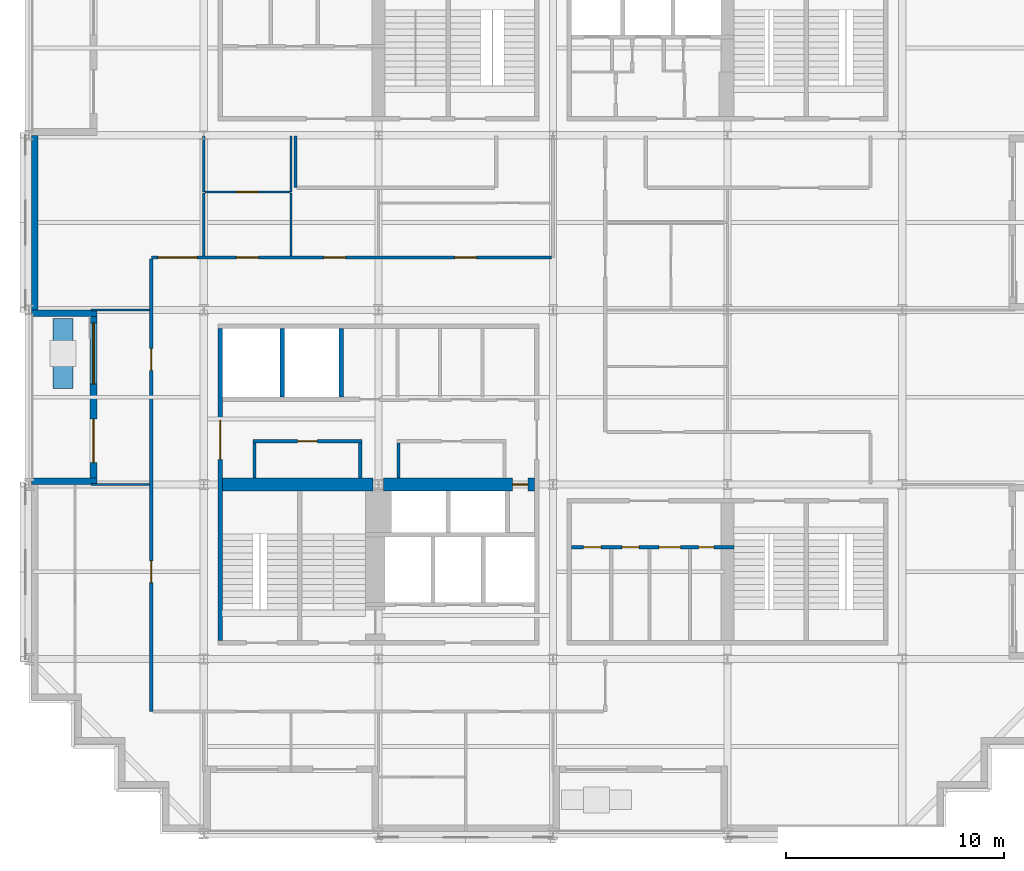
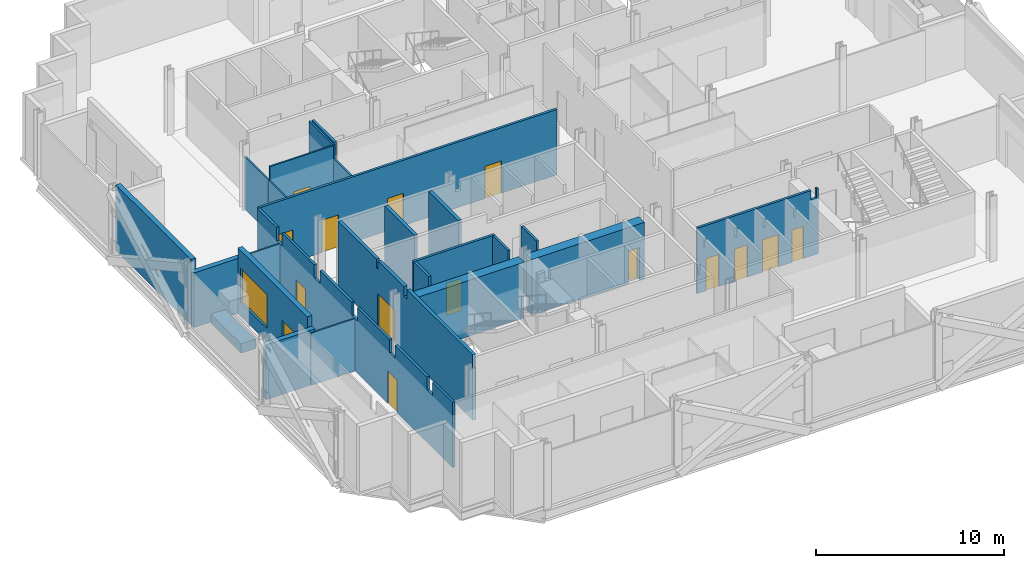
# One storey, part 6 of 14: 25 walls, 15 doors, 1 window, 16 openings.
"""IFC4 building model written with IfcOpenShell, lengths in metres."""

from ifc_helpers import new_model, si_unit, direction, frame, frame_2d, origin, place, context, subcontext, project, spatial, polyline, rectangle, outline, extrude, material, layer, layer_set, type_object, element, fill, save


model = new_model("IFC4")

# Units and contexts
model_context = context("Model", 3, precision=1e-05, world=origin(), true_north=direction((0.0, 1.0)))
body_context = subcontext(model_context, "Body", "Model", "MODEL_VIEW")
ifc_project = project(units=[si_unit("LENGTHUNIT", "METRE"), si_unit("AREAUNIT", "SQUARE_METRE"), si_unit("VOLUMEUNIT", "CUBIC_METRE"), si_unit("PLANEANGLEUNIT", "RADIAN"), si_unit("MASSUNIT", "GRAM", prefix="KILO")], contexts=[model_context])

# Site, building, storey
site_placement = place(None, origin())
site = spatial("IfcSite", under=ifc_project, at=site_placement, CompositionType="ELEMENT")
building_placement = place(site_placement, origin())
building = spatial("IfcBuilding", under=site, at=building_placement, Name="Immortelle Media Tower", CompositionType="ELEMENT")
storey_placement = place(building_placement, frame((0.0, 0.0, 39.199951171875)))
storey = spatial("IfcBuildingStorey", under=building, at=storey_placement, Name="L05", CompositionType="ELEMENT", Elevation=39.199951171875)

# Wall, opening, door
ifc_material_1 = material(Name="Fire-rated masonry blockwork", Category="masonry")
ifc_layer_1 = layer(ifc_material_1, 0.60009765625)
ifc_layer_set_1 = layer_set([ifc_layer_1], Name="Fire-rated masonry blockwork")
wall_type_1 = type_object("IfcWallType", Name="Core grid-line wall 600", PredefinedType="PARTITIONING", material=ifc_layer_set_1)
wall_1_placement = place(storey_placement, frame((16.237548828125, 16.0, 0.0), z_axis=(0.0, 0.0, 1.0), x_axis=(1.0, 0.0, 0.0)))
wall_1 = element("IfcWall", 1, at=wall_1_placement, inside=storey, type_object=wall_type_1, Name="Core grid-line wall SW", PredefinedType="PARTITIONING", context=body_context, shape_type="SweptSolid", body=[
    extrude(rectangle(XDim=6.912353515625, YDim=0.60009765625, at=frame_2d((3.4560546875, 0.0))), origin(), (0.0, 0.0, 1.0), 3.632080078125),
])
opening_1_placement = place(wall_1_placement, frame((6.612548828125, 0.0, 0.0), z_axis=(0.0, 0.0, 1.0), x_axis=(-1.0, 0.0, 0.0)))
opening_1 = element("IfcOpeningElement", 2, at=opening_1_placement, cuts=wall_1, Name="Opening N1-K013", PredefinedType="OPENING", context=body_context, shape_type="SweptSolid", body=[
    extrude(rectangle(XDim=0.699951171875, YDim=2.10009765625, at=frame_2d((0.35009765625, 1.050048828125))), frame((0.0, 0.31005859375, 0.0), z_axis=(0.0, -1.0, 0.0), x_axis=(1.0, 0.0, 0.0)), (0.0, 0.0, 1.0), 0.6201171875),
])
ifc_material_2 = material(Name="Galvanised steel door leaf and frame ASTM A653", Category="steel")
door_type_1 = type_object("IfcDoorType", Name="Service door 700 x 2100", OperationType="NOTDEFINED", PredefinedType="NOTDEFINED", material=ifc_material_2)
door_1_placement = place(opening_1_placement, origin())
door_1 = element("IfcDoor", 3, at=door_1_placement, inside=storey, type_object=door_type_1, Name="Service N1-K013", OperationType="SINGLE_SWING_LEFT", OverallHeight=2.10009765625, OverallWidth=0.699951171875, PredefinedType="NOTDEFINED", context=body_context, shape_type="SweptSolid", body=[
    extrude(rectangle(XDim=0.699951171875, YDim=2.10009765625, at=frame_2d((0.35009765625, 1.050048828125))), frame((0.0, 0.02490234375, 0.0), z_axis=(0.0, -1.0, 0.0), x_axis=(1.0, 0.0, 0.0)), (0.0, 0.0, 1.0), 0.050048828125),
])
fill(opening_1, door_1)

# Wall
ifc_material_3 = material(Name="Fire-rated gypsum board", Category="gypsum")
ifc_layer_2 = layer(ifc_material_3, 0.02490234375)
ifc_material_4 = material(Name="Steel ASTM A653 SS Gr 50 stud frame with mineral wool", Category="steel")
ifc_layer_3 = layer(ifc_material_4, 0.10009765625)
ifc_layer_4 = layer(ifc_material_3, 0.02490234375)
ifc_layer_set_2 = layer_set([ifc_layer_2, ifc_layer_3, ifc_layer_4], Name="Steel ASTM A653 SS Gr 50 stud frame with mineral wool")
wall_type_2 = type_object("IfcWallType", Name="Core partition 150", PredefinedType="PARTITIONING", material=ifc_layer_set_2)
wall_2_placement = place(storey_placement, frame((10.324951171875, 16.300048828125, 0.0), z_axis=(0.0, 0.0, 1.0), x_axis=(0.0, 1.0, 0.0)))
element("IfcWall", 4, at=wall_2_placement, inside=storey, type_object=wall_type_2, Name="Core partition SW", PredefinedType="PARTITIONING", context=body_context, shape_type="SweptSolid", body=[
    extrude(rectangle(XDim=1.599853515625, YDim=0.14990234375, at=frame_2d((0.7998046875, 0.0))), origin(), (0.0, 0.0, 1.0), 4.25),
])

# Wall, opening, door
wall_3_placement = place(storey_placement, frame((10.25, 17.97509765625, 0.0), z_axis=(0.0, 0.0, 1.0), x_axis=(1.0, 0.0, 0.0)))
wall_3 = element("IfcWall", 5, at=wall_3_placement, inside=storey, type_object=wall_type_2, Name="Core partition SW", PredefinedType="PARTITIONING", context=body_context, shape_type="SweptSolid", body=[
    extrude(rectangle(XDim=5.0, YDim=0.14990234375, at=frame_2d((2.5, 0.0))), origin(), (0.0, 0.0, 1.0), 4.25),
])
opening_2_placement = place(wall_3_placement, frame((2.949951171875, 0.0, 0.0), z_axis=(0.0, 0.0, 1.0), x_axis=(-1.0, 0.0, 0.0)))
opening_2 = element("IfcOpeningElement", 6, at=opening_2_placement, cuts=wall_3, Name="Opening N1-K003", PredefinedType="OPENING", context=body_context, shape_type="SweptSolid", body=[
    extrude(rectangle(XDim=0.89990234375, YDim=2.10009765625, at=frame_2d((0.449951171875, 1.050048828125))), frame((0.0, 0.0849609375, 0.0), z_axis=(0.0, -1.0, 0.0), x_axis=(1.0, 0.0, 0.0)), (0.0, 0.0, 1.0), 0.169921875),
])
ifc_material_5 = material(Name="Timber", Category="wood")
door_type_2 = type_object("IfcDoorType", Name="Room door 900 x 2100", OperationType="NOTDEFINED", PredefinedType="NOTDEFINED", material=ifc_material_5)
door_2_placement = place(opening_2_placement, origin())
door_2 = element("IfcDoor", 7, at=door_2_placement, inside=storey, type_object=door_type_2, Name="Room N1-K003", OperationType="SINGLE_SWING_LEFT", OverallHeight=2.10009765625, OverallWidth=0.89990234375, PredefinedType="NOTDEFINED", context=body_context, shape_type="SweptSolid", body=[
    extrude(rectangle(XDim=0.89990234375, YDim=2.10009765625, at=frame_2d((0.449951171875, 1.050048828125))), frame((0.0, 0.02490234375, 0.0), z_axis=(0.0, -1.0, 0.0), x_axis=(1.0, 0.0, 0.0)), (0.0, 0.0, 1.0), 0.050048828125),
])
fill(opening_2, door_2)

# Walls
for number, where, z_axis, x_axis, name in (
    (8, (15.175048828125, 16.300048828125, 0.0), (0.0, 0.0, 1.0), (0.0, 1.0, 0.0), "Core partition SW"),
    (9, (16.925048828125, 16.300048828125, 0.0), (0.0, 0.0, 1.0), (0.0, 1.0, 0.0), "Core partition SW"),
):
    element("IfcWall", number, at=place(storey_placement, frame(where, z_axis=z_axis, x_axis=x_axis)), inside=storey, type_object=wall_type_2, Name=name, PredefinedType="PARTITIONING", context=body_context, shape_type="SweptSolid", body=[
        extrude(rectangle(XDim=1.599853515625, YDim=0.14990234375, at=frame_2d((0.7998046875, 0.0))), origin(), (0.0, 0.0, 1.0), 4.25),
    ])

# Wall, openings, doors
wall_4_placement = place(storey_placement, frame((24.85009765625, 13.125, 0.0), z_axis=(0.0, 0.0, 1.0), x_axis=(1.0, 0.0, 0.0)))
wall_4 = element("IfcWall", 10, at=wall_4_placement, inside=storey, type_object=wall_type_2, Name="Core partition SE", PredefinedType="PARTITIONING", context=body_context, shape_type="SweptSolid", body=[
    extrude(outline(polyline([(0.0, 0.0), (7.449951171875, 0.0), (7.449951171875, 4.25), (7.31689453125, 4.25), (7.31591796875, 3.632080078125), (6.98388671875, 3.632080078125), (6.98291015625, 4.25), (0.0, 4.25), (0.0, 0.0)])), frame((0.0, 0.074951171875, 0.0), z_axis=(0.0, -1.0, 0.0), x_axis=(1.0, 0.0, 0.0)), (0.0, 0.0, 1.0), 0.14990234375),
])
opening_3_placement = place(wall_4_placement, frame((1.35009765625, 0.0, 0.0), z_axis=(0.0, 0.0, 1.0), x_axis=(-1.0, 0.0, 0.0)))
opening_3 = element("IfcOpeningElement", 11, at=opening_3_placement, cuts=wall_4, Name="Opening N1-K040", PredefinedType="OPENING", context=body_context, shape_type="SweptSolid", body=[
    extrude(rectangle(XDim=0.800048828125, YDim=2.10009765625, at=frame_2d((0.39990234375, 1.050048828125))), frame((0.0, 0.0849609375, 0.0), z_axis=(0.0, -1.0, 0.0), x_axis=(1.0, 0.0, 0.0)), (0.0, 0.0, 1.0), 0.169921875),
])
opening_4_placement = place(wall_4_placement, frame((3.10009765625, 0.0, 0.0), z_axis=(0.0, 0.0, 1.0), x_axis=(-1.0, 0.0, 0.0)))
opening_4 = element("IfcOpeningElement", 12, at=opening_4_placement, cuts=wall_4, Name="Opening N1-K041", PredefinedType="OPENING", context=body_context, shape_type="SweptSolid", body=[
    extrude(rectangle(XDim=0.800048828125, YDim=2.10009765625, at=frame_2d((0.39990234375, 1.050048828125))), frame((0.0, 0.0849609375, 0.0), z_axis=(0.0, -1.0, 0.0), x_axis=(1.0, 0.0, 0.0)), (0.0, 0.0, 1.0), 0.169921875),
])
opening_5_placement = place(wall_4_placement, frame((5.0, 0.0, 0.0), z_axis=(0.0, 0.0, 1.0), x_axis=(-1.0, 0.0, 0.0)))
opening_5 = element("IfcOpeningElement", 13, at=opening_5_placement, cuts=wall_4, Name="Opening N1-K042", PredefinedType="OPENING", context=body_context, shape_type="SweptSolid", body=[
    extrude(rectangle(XDim=1.0, YDim=2.10009765625, at=frame_2d((0.5, 1.050048828125))), frame((0.0, 0.0849609375, 0.0), z_axis=(0.0, -1.0, 0.0), x_axis=(1.0, 0.0, 0.0)), (0.0, 0.0, 1.0), 0.169921875),
])
opening_6_placement = place(wall_4_placement, frame((6.52490234375, 0.0, 0.0), z_axis=(0.0, 0.0, 1.0), x_axis=(-1.0, 0.0, 0.0)))
opening_6 = element("IfcOpeningElement", 14, at=opening_6_placement, cuts=wall_4, Name="Opening N1-K043", PredefinedType="OPENING", context=body_context, shape_type="SweptSolid", body=[
    extrude(rectangle(XDim=0.699951171875, YDim=2.10009765625, at=frame_2d((0.35009765625, 1.050048828125))), frame((0.0, 0.0849609375, 0.0), z_axis=(0.0, -1.0, 0.0), x_axis=(1.0, 0.0, 0.0)), (0.0, 0.0, 1.0), 0.169921875),
])
door_type_3 = type_object("IfcDoorType", Name="Accessible toilet door 1000 x 2100", OperationType="NOTDEFINED", PredefinedType="NOTDEFINED", material=ifc_material_5)
door_3_placement = place(opening_5_placement, origin())
door_3 = element("IfcDoor", 15, at=door_3_placement, inside=storey, type_object=door_type_3, Name="Accessible toilet N1-K042", OperationType="SINGLE_SWING_LEFT", OverallHeight=2.10009765625, OverallWidth=1.0, PredefinedType="NOTDEFINED", context=body_context, shape_type="SweptSolid", body=[
    extrude(rectangle(XDim=1.0, YDim=2.10009765625, at=frame_2d((0.5, 1.050048828125))), frame((0.0, 0.02490234375, 0.0), z_axis=(0.0, -1.0, 0.0), x_axis=(1.0, 0.0, 0.0)), (0.0, 0.0, 1.0), 0.050048828125),
])
fill(opening_5, door_3)
door_4_placement = place(opening_6_placement, origin())
door_4 = element("IfcDoor", 16, at=door_4_placement, inside=storey, type_object=door_type_1, Name="Service N1-K043", OperationType="SINGLE_SWING_LEFT", OverallHeight=2.10009765625, OverallWidth=0.699951171875, PredefinedType="NOTDEFINED", context=body_context, shape_type="SweptSolid", body=[
    extrude(rectangle(XDim=0.699951171875, YDim=2.10009765625, at=frame_2d((0.35009765625, 1.050048828125))), frame((0.0, 0.02490234375, 0.0), z_axis=(0.0, -1.0, 0.0), x_axis=(1.0, 0.0, 0.0)), (0.0, 0.0, 1.0), 0.050048828125),
])
fill(opening_6, door_4)
door_type_4 = type_object("IfcDoorType", Name="Toilet door 800 x 2100", OperationType="NOTDEFINED", PredefinedType="NOTDEFINED", material=ifc_material_5)
door_5_placement = place(opening_3_placement, origin())
door_5 = element("IfcDoor", 17, at=door_5_placement, inside=storey, type_object=door_type_4, Name="Toilet N1-K040", OperationType="SINGLE_SWING_LEFT", OverallHeight=2.10009765625, OverallWidth=0.800048828125, PredefinedType="NOTDEFINED", context=body_context, shape_type="SweptSolid", body=[
    extrude(rectangle(XDim=0.800048828125, YDim=2.10009765625, at=frame_2d((0.39990234375, 1.050048828125))), frame((0.0, 0.02490234375, 0.0), z_axis=(0.0, -1.0, 0.0), x_axis=(1.0, 0.0, 0.0)), (0.0, 0.0, 1.0), 0.050048828125),
])
fill(opening_3, door_5)
door_6_placement = place(opening_4_placement, origin())
door_6 = element("IfcDoor", 18, at=door_6_placement, inside=storey, type_object=door_type_4, Name="Toilet N1-K041", OperationType="SINGLE_SWING_LEFT", OverallHeight=2.10009765625, OverallWidth=0.800048828125, PredefinedType="NOTDEFINED", context=body_context, shape_type="SweptSolid", body=[
    extrude(rectangle(XDim=0.800048828125, YDim=2.10009765625, at=frame_2d((0.39990234375, 1.050048828125))), frame((0.0, 0.02490234375, 0.0), z_axis=(0.0, -1.0, 0.0), x_axis=(1.0, 0.0, 0.0)), (0.0, 0.0, 1.0), 0.050048828125),
])
fill(opening_4, door_6)

# Walls
ifc_layer_5 = layer(ifc_material_3, 0.03759765625)
ifc_layer_6 = layer(ifc_material_4, 0.125)
ifc_layer_7 = layer(ifc_material_3, 0.03759765625)
ifc_layer_set_3 = layer_set([ifc_layer_5, ifc_layer_6, ifc_layer_7], Name="Steel ASTM A653 SS Gr 50 stud frame with mineral wool")
wall_type_3 = type_object("IfcWallType", Name="Core shaft wall 200", PredefinedType="PARTITIONING", material=ifc_layer_set_3)
for number, where, z_axis, x_axis, name in (
    (19, (11.60009765625, 20.0, 0.0), (0.0, 0.0, 1.0), (0.0, 1.0, 0.0), "Core shaft wall SW"),
    (20, (14.300048828125, 20.0, 0.0), (0.0, 0.0, 1.0), (0.0, 1.0, 0.0), "Core shaft wall SW"),
):
    element("IfcWall", number, at=place(storey_placement, frame(where, z_axis=z_axis, x_axis=x_axis)), inside=storey, type_object=wall_type_3, Name=name, PredefinedType="PARTITIONING", context=body_context, shape_type="SweptSolid", body=[
        extrude(rectangle(XDim=3.14990234375, YDim=0.199951171875, at=frame_2d((1.574951171875, 0.0))), origin(), (0.0, 0.0, 1.0), 4.25),
    ])

# Wall, openings, doors
ifc_layer_8 = layer(ifc_material_3, 0.012451171875)
ifc_layer_9 = layer(ifc_material_4, 0.125)
ifc_layer_10 = layer(ifc_material_3, 0.012451171875)
ifc_layer_set_4 = layer_set([ifc_layer_8, ifc_layer_9, ifc_layer_10], Name="Steel ASTM A653 SS Gr 50 stud frame with mineral wool")
wall_type_4 = type_object("IfcWallType", Name="Corridor wall 150", PredefinedType="PARTITIONING", material=ifc_layer_set_4)
wall_5_placement = place(storey_placement, frame((5.60009765625, 5.60009765625, 0.0), z_axis=(0.0, 0.0, 1.0), x_axis=(0.0, 1.0, 0.0)))
wall_5 = element("IfcWall", 21, at=wall_5_placement, inside=storey, type_object=wall_type_4, Name="Partition L05-009", PredefinedType="PARTITIONING", context=body_context, shape_type="SweptSolid", body=[
    extrude(outline(polyline([(0.0, 0.0), (20.724853515625, 0.0), (20.72509765625, 4.25), (18.699951171875, 4.25), (18.697998046875, 3.39111328125), (18.10205078125, 3.39111328125), (18.10009765625, 4.25), (14.699951171875, 4.25), (14.697998046875, 3.39111328125), (14.10205078125, 3.39111328125), (14.10009765625, 4.25), (10.699951171875, 4.25), (10.697998046875, 3.39111328125), (10.10205078125, 3.39111328125), (10.10009765625, 4.25), (6.699951171875, 4.25), (6.697998046875, 3.39111328125), (6.10205078125, 3.39111328125), (6.10009765625, 4.25), (2.699951171875, 4.25), (2.697998046875, 3.39111328125), (2.10205078125, 3.39111328125), (2.10009765625, 4.25), (0.0, 4.25), (0.0, 0.0)])), frame((0.0, 0.074951171875, 0.0), z_axis=(0.0, -1.0, 0.0), x_axis=(1.0, 0.0, 0.0)), (0.0, 0.0, 1.0), 0.14990234375),
])
opening_7_placement = place(wall_5_placement, frame((5.89990234375, 0.0, 0.0)))
opening_7 = element("IfcOpeningElement", 22, at=opening_7_placement, cuts=wall_5, Name="Opening N1-F007", PredefinedType="OPENING", context=body_context, shape_type="SweptSolid", body=[
    extrude(rectangle(XDim=1.0, YDim=2.10009765625, at=frame_2d((0.5, 1.050048828125))), frame((0.0, 0.0849609375, 0.0), z_axis=(0.0, -1.0, 0.0), x_axis=(1.0, 0.0, 0.0)), (0.0, 0.0, 1.0), 0.169921875),
])
opening_8_placement = place(wall_5_placement, frame((15.625, 0.0, 0.0)))
opening_8 = element("IfcOpeningElement", 23, at=opening_8_placement, cuts=wall_5, Name="Opening N1-F009", PredefinedType="OPENING", context=body_context, shape_type="SweptSolid", body=[
    extrude(rectangle(XDim=1.0, YDim=2.10009765625, at=frame_2d((0.5, 1.050048828125))), frame((0.0, 0.0849609375, 0.0), z_axis=(0.0, -1.0, 0.0), x_axis=(1.0, 0.0, 0.0)), (0.0, 0.0, 1.0), 0.169921875),
])
ifc_material_6 = material(Name="Timber veneered door leaf, galvanised steel frame ASTM A653", Category="steel")
door_type_5 = type_object("IfcDoorType", Name="Room door 1000 x 2100", OperationType="NOTDEFINED", PredefinedType="DOOR", material=ifc_material_6)
door_7_placement = place(opening_7_placement, origin())
door_7 = element("IfcDoor", 24, at=door_7_placement, inside=storey, type_object=door_type_5, Name="Door N1-F007", OperationType="SINGLE_SWING_RIGHT", OverallHeight=2.10009765625, OverallWidth=1.0, PredefinedType="DOOR", context=body_context, shape_type="SweptSolid", body=[
    extrude(rectangle(XDim=1.0, YDim=2.10009765625, at=frame_2d((0.5, 1.050048828125))), frame((0.0, 0.02490234375, 0.0), z_axis=(0.0, -1.0, 0.0), x_axis=(1.0, 0.0, 0.0)), (0.0, 0.0, 1.0), 0.050048828125),
])
fill(opening_7, door_7)
door_8_placement = place(opening_8_placement, origin())
door_8 = element("IfcDoor", 25, at=door_8_placement, inside=storey, type_object=door_type_5, Name="Door N1-F009", OperationType="SINGLE_SWING_RIGHT", OverallHeight=2.10009765625, OverallWidth=1.0, PredefinedType="DOOR", context=body_context, shape_type="SweptSolid", body=[
    extrude(rectangle(XDim=1.0, YDim=2.10009765625, at=frame_2d((0.5, 1.050048828125))), frame((0.0, 0.02490234375, 0.0), z_axis=(0.0, -1.0, 0.0), x_axis=(1.0, 0.0, 0.0)), (0.0, 0.0, 1.0), 0.050048828125),
])
fill(opening_8, door_8)

wall_6_placement = place(storey_placement, frame((5.60009765625, 26.39990234375, 0.0), z_axis=(0.0, 0.0, 1.0), x_axis=(1.0, 0.0, 0.0)))
wall_6 = element("IfcWall", 26, at=wall_6_placement, inside=storey, type_object=wall_type_4, Name="Partition L05-026", PredefinedType="PARTITIONING", context=body_context, shape_type="SweptSolid", body=[
    extrude(rectangle(XDim=18.324951171875, YDim=0.14990234375, at=frame_2d((9.16259765625, 0.0))), origin(), (0.0, 0.0, 1.0), 4.25),
])
opening_9_placement = place(wall_6_placement, frame((13.89990234375, 0.0, 0.0)))
opening_9 = element("IfcOpeningElement", 27, at=opening_9_placement, cuts=wall_6, Name="Opening N1-F016", PredefinedType="OPENING", context=body_context, shape_type="SweptSolid", body=[
    extrude(rectangle(XDim=1.0, YDim=2.10009765625, at=frame_2d((0.5, 1.050048828125))), frame((0.0, 0.0849609375, 0.0), z_axis=(0.0, -1.0, 0.0), x_axis=(1.0, 0.0, 0.0)), (0.0, 0.0, 1.0), 0.169921875),
])
opening_10_placement = place(wall_6_placement, frame((3.89990234375, 0.0, 0.0)))
opening_10 = element("IfcOpeningElement", 28, at=opening_10_placement, cuts=wall_6, Name="Opening N1-F018", PredefinedType="OPENING", context=body_context, shape_type="SweptSolid", body=[
    extrude(rectangle(XDim=1.0, YDim=2.10009765625, at=frame_2d((0.5, 1.050048828125))), frame((0.0, 0.0849609375, 0.0), z_axis=(0.0, -1.0, 0.0), x_axis=(1.0, 0.0, 0.0)), (0.0, 0.0, 1.0), 0.169921875),
])
opening_11_placement = place(wall_6_placement, frame((7.89990234375, 0.0, 0.0)))
opening_11 = element("IfcOpeningElement", 29, at=opening_11_placement, cuts=wall_6, Name="Opening N1-F020", PredefinedType="OPENING", context=body_context, shape_type="SweptSolid", body=[
    extrude(rectangle(XDim=1.0, YDim=2.10009765625, at=frame_2d((0.5, 1.050048828125))), frame((0.0, 0.0849609375, 0.0), z_axis=(0.0, -1.0, 0.0), x_axis=(1.0, 0.0, 0.0)), (0.0, 0.0, 1.0), 0.169921875),
])
opening_12_placement = place(wall_6_placement, frame((0.300048828125, 0.0, 0.0)))
opening_12 = element("IfcOpeningElement", 30, at=opening_12_placement, cuts=wall_6, Name="Opening N1-F022", PredefinedType="OPENING", context=body_context, shape_type="SweptSolid", body=[
    extrude(rectangle(XDim=1.800048828125, YDim=2.10009765625, at=frame_2d((0.89990234375, 1.050048828125))), frame((0.0, 0.0849609375, 0.0), z_axis=(0.0, -1.0, 0.0), x_axis=(1.0, 0.0, 0.0)), (0.0, 0.0, 1.0), 0.169921875),
])
door_9_placement = place(opening_9_placement, origin())
door_9 = element("IfcDoor", 31, at=door_9_placement, inside=storey, type_object=door_type_5, Name="Door N1-F016", OperationType="SINGLE_SWING_LEFT", OverallHeight=2.10009765625, OverallWidth=1.0, PredefinedType="DOOR", context=body_context, shape_type="SweptSolid", body=[
    extrude(rectangle(XDim=1.0, YDim=2.10009765625, at=frame_2d((0.5, 1.050048828125))), frame((0.0, 0.02490234375, 0.0), z_axis=(0.0, -1.0, 0.0), x_axis=(1.0, 0.0, 0.0)), (0.0, 0.0, 1.0), 0.050048828125),
])
fill(opening_9, door_9)
door_10_placement = place(opening_10_placement, origin())
door_10 = element("IfcDoor", 32, at=door_10_placement, inside=storey, type_object=door_type_5, Name="Door N1-F018", OperationType="SINGLE_SWING_LEFT", OverallHeight=2.10009765625, OverallWidth=1.0, PredefinedType="DOOR", context=body_context, shape_type="SweptSolid", body=[
    extrude(rectangle(XDim=1.0, YDim=2.10009765625, at=frame_2d((0.5, 1.050048828125))), frame((0.0, 0.02490234375, 0.0), z_axis=(0.0, -1.0, 0.0), x_axis=(1.0, 0.0, 0.0)), (0.0, 0.0, 1.0), 0.050048828125),
])
fill(opening_10, door_10)
door_11_placement = place(opening_11_placement, origin())
door_11 = element("IfcDoor", 33, at=door_11_placement, inside=storey, type_object=door_type_5, Name="Door N1-F020", OperationType="SINGLE_SWING_RIGHT", OverallHeight=2.10009765625, OverallWidth=1.0, PredefinedType="DOOR", context=body_context, shape_type="SweptSolid", body=[
    extrude(rectangle(XDim=1.0, YDim=2.10009765625, at=frame_2d((0.5, 1.050048828125))), frame((0.0, 0.02490234375, 0.0), z_axis=(0.0, -1.0, 0.0), x_axis=(1.0, 0.0, 0.0)), (0.0, 0.0, 1.0), 0.050048828125),
])
fill(opening_11, door_11)
door_type_6 = type_object("IfcDoorType", Name="Room door 1800 x 2100", OperationType="DOUBLE_DOOR_SINGLE_SWING", PredefinedType="DOOR", material=ifc_material_6)
door_12_placement = place(opening_12_placement, origin())
door_12 = element("IfcDoor", 34, at=door_12_placement, inside=storey, type_object=door_type_6, Name="Door N1-F022", OperationType="DOUBLE_DOOR_SINGLE_SWING", OverallHeight=2.10009765625, OverallWidth=1.800048828125, PredefinedType="DOOR", context=body_context, shape_type="SweptSolid", body=[
    extrude(rectangle(XDim=1.800048828125, YDim=2.10009765625, at=frame_2d((0.89990234375, 1.050048828125))), frame((0.0, 0.02490234375, 0.0), z_axis=(0.0, -1.0, 0.0), x_axis=(1.0, 0.0, 0.0)), (0.0, 0.0, 1.0), 0.050048828125),
])
fill(opening_12, door_12)

# Walls
wall_7_placement = place(storey_placement, frame((12.199951171875, 29.60009765625, 0.0), z_axis=(0.0, 0.0, 1.0), x_axis=(0.0, 1.0, 0.0)))
element("IfcWall", 35, at=wall_7_placement, inside=storey, type_object=wall_type_4, Name="Partition L05-040", PredefinedType="PARTITIONING", context=body_context, shape_type="SweptSolid", body=[
    extrude(rectangle(XDim=2.369873046875, YDim=0.14990234375, at=frame_2d((1.18505859375, 0.0))), origin(), (0.0, 0.0, 1.0), 4.25),
])
ifc_material_7 = material(Name="Pale aluminium cladding panel", Category="aluminium")
ifc_layer_11 = layer(ifc_material_7, 0.030029296875)
ifc_layer_12 = layer(ifc_material_4, 0.257568359375)
ifc_material_8 = material(Name="Moisture-resistant gypsum board", Category="gypsum")
ifc_layer_13 = layer(ifc_material_8, 0.012451171875)
ifc_layer_set_5 = layer_set([ifc_layer_11, ifc_layer_12, ifc_layer_13], Name="Steel ASTM A653 SS Gr 50 stud frame with mineral wool")
wall_type_5 = type_object("IfcWallType", Name="Facade wall 300", PredefinedType="SOLIDWALL", material=ifc_layer_set_5)
wall_8_placement = place(storey_placement, frame((0.25, 32.0, 0.0), z_axis=(0.0, 0.0, 1.0), x_axis=(0.0, -1.0, 0.0)))
element("IfcWall", 36, at=wall_8_placement, inside=storey, type_object=wall_type_5, Name="Facade wall L05 W0", PredefinedType="SOLIDWALL", context=body_context, shape_type="SweptSolid", body=[
    extrude(rectangle(XDim=8.0, YDim=0.300048828125, at=frame_2d((4.0, 0.0))), origin(), (0.0, 0.0, 1.0), 4.25),
])

# Wall, openings, door, window
wall_9_placement = place(storey_placement, frame((2.949951171875, 23.699951171875, 0.0), z_axis=(0.0, 0.0, 1.0), x_axis=(0.0, -1.0, 0.0)))
wall_9 = element("IfcWall", 37, at=wall_9_placement, inside=storey, type_object=wall_type_5, Name="Loggia wall L05 W0", PredefinedType="SOLIDWALL", context=body_context, shape_type="SweptSolid", body=[
    extrude(rectangle(XDim=7.39990234375, YDim=0.300048828125, at=frame_2d((3.699951171875, 0.0))), origin(), (0.0, 0.0, 1.0), 4.25),
])
opening_13_placement = place(wall_9_placement, frame((0.300048828125, 0.0, 0.89990234375)))
opening_13 = element("IfcOpeningElement", 38, at=opening_13_placement, cuts=wall_9, Name="Opening W1", PredefinedType="OPENING", context=body_context, shape_type="SweptSolid", body=[
    extrude(rectangle(XDim=2.800048828125, YDim=2.199951171875, at=frame_2d((1.39990234375, 1.10009765625))), frame((0.0, 0.159912109375, 0.0), z_axis=(0.0, -1.0, 0.0), x_axis=(1.0, 0.0, 0.0)), (0.0, 0.0, 1.0), 0.320068359375),
])
opening_14_placement = place(wall_9_placement, frame((4.699951171875, 0.0, 0.0)))
opening_14 = element("IfcOpeningElement", 39, at=opening_14_placement, cuts=wall_9, Name="Opening N1-E002", PredefinedType="OPENING", context=body_context, shape_type="SweptSolid", body=[
    extrude(rectangle(XDim=2.0, YDim=2.39990234375, at=frame_2d((1.0, 1.199951171875))), frame((0.0, 0.159912109375, 0.0), z_axis=(0.0, -1.0, 0.0), x_axis=(1.0, 0.0, 0.0)), (0.0, 0.0, 1.0), 0.320068359375),
])
ifc_material_9 = material(Name="Aluminium frame, glazed leaves", Category="aluminium")
door_type_7 = type_object("IfcDoorType", Name="Loggia door 2000 x 2400", OperationType="DOUBLE_DOOR_SINGLE_SWING", PredefinedType="DOOR", material=ifc_material_9)
door_13_placement = place(opening_14_placement, origin())
door_13 = element("IfcDoor", 40, at=door_13_placement, inside=storey, type_object=door_type_7, Name="Door N1-E002", OperationType="DOUBLE_DOOR_SINGLE_SWING", OverallHeight=2.39990234375, OverallWidth=2.0, PredefinedType="DOOR", context=body_context, shape_type="SweptSolid", body=[
    extrude(rectangle(XDim=2.0, YDim=2.39990234375, at=frame_2d((1.0, 1.199951171875))), frame((0.0, 0.02490234375, 0.0), z_axis=(0.0, -1.0, 0.0), x_axis=(1.0, 0.0, 0.0)), (0.0, 0.0, 1.0), 0.050048828125),
])
fill(opening_14, door_13)
ifc_material_10 = material(Name="Aluminium frame", Category="aluminium")
window_type = type_object("IfcWindowType", Name="Window 2800 x 2200", PartitioningType="SINGLE_PANEL", PredefinedType="WINDOW", material=ifc_material_10)
window_placement = place(opening_13_placement, origin())
window = element("IfcWindow", 41, at=window_placement, inside=storey, type_object=window_type, Name="Window L05 L05-R0-B2", OverallHeight=2.199951171875, OverallWidth=2.800048828125, PartitioningType="SINGLE_PANEL", PredefinedType="WINDOW", context=body_context, shape_type="SweptSolid", body=[
    extrude(rectangle(XDim=2.800048828125, YDim=2.199951171875, at=frame_2d((1.39990234375, 1.10009765625))), frame((0.0, 0.030029296875, 0.0), z_axis=(0.0, -1.0, 0.0), x_axis=(1.0, 0.0, 0.0)), (0.0, 0.0, 1.0), 0.06005859375),
])
fill(opening_13, window)

# Walls
for number, where, z_axis, x_axis, name in (
    (42, (0.10009765625, 23.85009765625, 0.0), (0.0, 0.0, 1.0), (1.0, 0.0, 0.0), "Loggia cheek wall L05 W"),
    (43, (0.10009765625, 16.14990234375, 0.0), (0.0, 0.0, 1.0), (1.0, 0.0, 0.0), "Loggia cheek wall L05 W"),
):
    element("IfcWall", number, at=place(storey_placement, frame(where, z_axis=z_axis, x_axis=x_axis)), inside=storey, type_object=wall_type_5, Name=name, PredefinedType="SOLIDWALL", context=body_context, shape_type="SweptSolid", body=[
        extrude(rectangle(XDim=3.0, YDim=0.300048828125, at=frame_2d((1.5, 0.0))), origin(), (0.0, 0.0, 1.0), 3.552978515625),
    ])
ifc_material_11 = material(Name="Gypsum board", Category="gypsum")
ifc_layer_14 = layer(ifc_material_11, 0.012451171875)
ifc_layer_15 = layer(ifc_material_4, 0.074951171875)
ifc_layer_16 = layer(ifc_material_11, 0.012451171875)
ifc_layer_set_6 = layer_set([ifc_layer_14, ifc_layer_15, ifc_layer_16], Name="Steel ASTM A653 SS Gr 50 stud frame with mineral wool")
wall_type_6 = type_object("IfcWallType", Name="Partition 100", PredefinedType="PARTITIONING", material=ifc_layer_set_6)
for number, where, z_axis, x_axis, name in (
    (44, (2.830078125, 16.0, 0.0), (0.0, 0.0, 1.0), (1.0, 0.0, 0.0), "Partition L05-012"),
    (45, (2.830078125, 24.0, 0.0), (0.0, 0.0, 1.0), (1.0, 0.0, 0.0), "Partition L05-020"),
):
    element("IfcWall", number, at=place(storey_placement, frame(where, z_axis=z_axis, x_axis=x_axis)), inside=storey, type_object=wall_type_6, Name=name, PredefinedType="PARTITIONING", context=body_context, shape_type="SweptSolid", body=[
        extrude(rectangle(XDim=2.69482421875, YDim=0.10009765625, at=frame_2d((1.347412109375, 0.0))), origin(), (0.0, 0.0, 1.0), 3.39111328125),
    ])
for number, where, z_axis, x_axis, name in (
    (46, (8.0, 26.47509765625, 0.0), (0.0, 0.0, 1.0), (0.0, 1.0, 0.0), "Partition L05-027"),
    (47, (12.0, 26.47509765625, 0.0), (0.0, 0.0, 1.0), (0.0, 1.0, 0.0), "Partition L05-028"),
):
    element("IfcWall", number, at=place(storey_placement, frame(where, z_axis=z_axis, x_axis=x_axis)), inside=storey, type_object=wall_type_6, Name=name, PredefinedType="PARTITIONING", context=body_context, shape_type="SweptSolid", body=[
        extrude(rectangle(XDim=2.875, YDim=0.10009765625, at=frame_2d((1.4375, 0.0))), origin(), (0.0, 0.0, 1.0), 3.39111328125),
    ])

# Wall, opening, door
wall_10_placement = place(storey_placement, frame((8.050048828125, 29.39990234375, 0.0), z_axis=(0.0, 0.0, 1.0), x_axis=(1.0, 0.0, 0.0)))
wall_10 = element("IfcWall", 48, at=wall_10_placement, inside=storey, type_object=wall_type_6, Name="Partition L05-036", PredefinedType="PARTITIONING", context=body_context, shape_type="SweptSolid", body=[
    extrude(rectangle(XDim=3.89990234375, YDim=0.10009765625, at=frame_2d((1.949951171875, 0.0))), origin(), (0.0, 0.0, 1.0), 4.25),
])
opening_15_placement = place(wall_10_placement, frame((2.449951171875, 0.0, 0.0), z_axis=(0.0, 0.0, 1.0), x_axis=(-1.0, 0.0, 0.0)))
opening_15 = element("IfcOpeningElement", 49, at=opening_15_placement, cuts=wall_10, Name="Opening N1-F019", PredefinedType="OPENING", context=body_context, shape_type="SweptSolid", body=[
    extrude(rectangle(XDim=1.0, YDim=2.10009765625, at=frame_2d((0.5, 1.050048828125))), frame((0.0, 0.06005859375, 0.0), z_axis=(0.0, -1.0, 0.0), x_axis=(1.0, 0.0, 0.0)), (0.0, 0.0, 1.0), 0.1201171875),
])
door_14_placement = place(opening_15_placement, origin())
door_14 = element("IfcDoor", 50, at=door_14_placement, inside=storey, type_object=door_type_5, Name="Door N1-F019", OperationType="SINGLE_SWING_RIGHT", OverallHeight=2.10009765625, OverallWidth=1.0, PredefinedType="DOOR", context=body_context, shape_type="SweptSolid", body=[
    extrude(rectangle(XDim=1.0, YDim=2.10009765625, at=frame_2d((0.5, 1.050048828125))), frame((0.0, 0.02490234375, 0.0), z_axis=(0.0, -1.0, 0.0), x_axis=(1.0, 0.0, 0.0)), (0.0, 0.0, 1.0), 0.050048828125),
])
fill(opening_15, door_14)

# Walls
wall_11_placement = place(storey_placement, frame((8.0, 29.39990234375, 0.0), z_axis=(0.0, 0.0, 1.0), x_axis=(0.0, 1.0, 0.0)))
element("IfcWall", 51, at=wall_11_placement, inside=storey, type_object=wall_type_6, Name="Partition L05-037", PredefinedType="PARTITIONING", context=body_context, shape_type="SweptSolid", body=[
    extrude(rectangle(XDim=2.570068359375, YDim=0.10009765625, at=frame_2d((1.28515625, 0.0))), origin(), (0.0, 0.0, 1.0), 3.39111328125),
])
wall_12_placement = place(storey_placement, frame((12.0, 29.39990234375, 0.0), z_axis=(0.0, 0.0, 1.0), x_axis=(0.0, 1.0, 0.0)))
element("IfcWall", 52, at=wall_12_placement, inside=storey, type_object=wall_type_6, Name="Partition L05-038", PredefinedType="PARTITIONING", context=body_context, shape_type="SweptSolid", body=[
    extrude(rectangle(XDim=2.570068359375, YDim=0.10009765625, at=frame_2d((1.28515625, 0.0))), origin(), (0.0, 0.0, 1.0), 4.25),
])
ifc_layer_17 = layer(ifc_material_7, 0.0029296875)
ifc_material_12 = material(Name="Steel ASTM A572 Gr 50 planter shell", Category="steel")
ifc_layer_18 = layer(ifc_material_12, 0.011962890625)
ifc_material_13 = material(Name="Planting substrate", Category="soil")
ifc_layer_19 = layer(ifc_material_13, 0.873046875)
ifc_layer_20 = layer(ifc_material_12, 0.011962890625)
ifc_layer_set_7 = layer_set([ifc_layer_17, ifc_layer_18, ifc_layer_19, ifc_layer_20], Name="Steel ASTM A572 Gr 50 planter shell")
wall_type_7 = type_object("IfcWallType", Name="Planter wall 900", PredefinedType="SOLIDWALL", material=ifc_layer_set_7)
wall_13_placement = place(storey_placement, frame((1.550048828125, 23.60009765625, 0.0), z_axis=(0.0, 0.0, 1.0), x_axis=(0.0, -1.0, 0.0)))
element("IfcWall", 53, at=wall_13_placement, inside=storey, type_object=wall_type_7, Name="Planter L05 W2", PredefinedType="SOLIDWALL", context=body_context, shape_type="SweptSolid", body=[
    extrude(rectangle(XDim=3.2001953125, YDim=0.89990234375, at=frame_2d((1.60009765625, 0.0))), origin(), (0.0, 0.0, 1.0), 0.60009765625),
])

# Wall, opening, door
ifc_material_14 = material(Name="Concrete C60", Category="concrete")
ifc_layer_21 = layer(ifc_material_14, 0.199951171875)
ifc_layer_set_8 = layer_set([ifc_layer_21], Name="Concrete C60")
wall_type_8 = type_object("IfcWallType", Name="Stair shaft wall 200", PredefinedType="PARTITIONING", material=ifc_layer_set_8)
wall_14_placement = place(storey_placement, frame((8.75, 8.85009765625, 0.0), z_axis=(0.0, 0.0, 1.0), x_axis=(0.0, 1.0, 0.0)))
wall_14 = element("IfcWall", 54, at=wall_14_placement, inside=storey, type_object=wall_type_8, Name="Stair shaft wall SW", PredefinedType="PARTITIONING", context=body_context, shape_type="SweptSolid", body=[
    extrude(outline(polyline([(0.0, 0.0), (14.2998046875, 0.0), (14.300048828125, 4.25), (10.238525390625, 4.25), (10.237548828125, 3.7080078125), (10.0625, 3.7080078125), (10.0615234375, 4.25), (7.31689453125, 4.25), (7.31591796875, 3.632080078125), (6.98388671875, 3.632080078125), (6.98291015625, 4.25), (0.0, 4.25), (0.0, 0.0)])), frame((0.0, 0.10009765625, 0.0), z_axis=(0.0, -1.0, 0.0), x_axis=(1.0, 0.0, 0.0)), (0.0, 0.0, 1.0), 0.199951171875),
])
opening_16_placement = place(wall_14_placement, frame((8.300048828125, 0.0, 0.0)))
opening_16 = element("IfcOpeningElement", 55, at=opening_16_placement, cuts=wall_14, Name="Opening N1-K001", PredefinedType="OPENING", context=body_context, shape_type="SweptSolid", body=[
    extrude(rectangle(XDim=1.800048828125, YDim=2.10009765625, at=frame_2d((0.89990234375, 1.050048828125))), frame((0.0, 0.10986328125, 0.0), z_axis=(0.0, -1.0, 0.0), x_axis=(1.0, 0.0, 0.0)), (0.0, 0.0, 1.0), 0.219970703125),
])
door_type_8 = type_object("IfcDoorType", Name="Lift lobby door 1800 x 2100", OperationType="DOUBLE_DOOR_SINGLE_SWING", PredefinedType="NOTDEFINED", material=ifc_material_2)
door_15_placement = place(opening_16_placement, origin())
door_15 = element("IfcDoor", 56, at=door_15_placement, inside=storey, type_object=door_type_8, Name="Lift lobby N1-K001", OperationType="DOUBLE_DOOR_SINGLE_SWING", OverallHeight=2.10009765625, OverallWidth=1.800048828125, PredefinedType="NOTDEFINED", context=body_context, shape_type="SweptSolid", body=[
    extrude(rectangle(XDim=1.800048828125, YDim=2.10009765625, at=frame_2d((0.89990234375, 1.050048828125))), frame((0.0, 0.02490234375, 0.0), z_axis=(0.0, -1.0, 0.0), x_axis=(1.0, 0.0, 0.0)), (0.0, 0.0, 1.0), 0.050048828125),
])
fill(opening_16, door_15)

# Wall
ifc_layer_22 = layer(ifc_material_14, 0.60009765625)
ifc_layer_set_9 = layer_set([ifc_layer_22], Name="Concrete C60")
wall_type_9 = type_object("IfcWallType", Name="Stair shaft wall 600", PredefinedType="PARTITIONING", material=ifc_layer_set_9)
wall_15_placement = place(storey_placement, frame((8.85009765625, 16.0, 0.0), z_axis=(0.0, 0.0, 1.0), x_axis=(1.0, 0.0, 0.0)))
element("IfcWall", 57, at=wall_15_placement, inside=storey, type_object=wall_type_9, Name="Stair shaft wall SW", PredefinedType="PARTITIONING", context=body_context, shape_type="SweptSolid", body=[
    extrude(rectangle(XDim=6.912353515625, YDim=0.60009765625, at=frame_2d((3.4560546875, 0.0))), origin(), (0.0, 0.0, 1.0), 3.632080078125),
])

save(model, "model.ifc")
